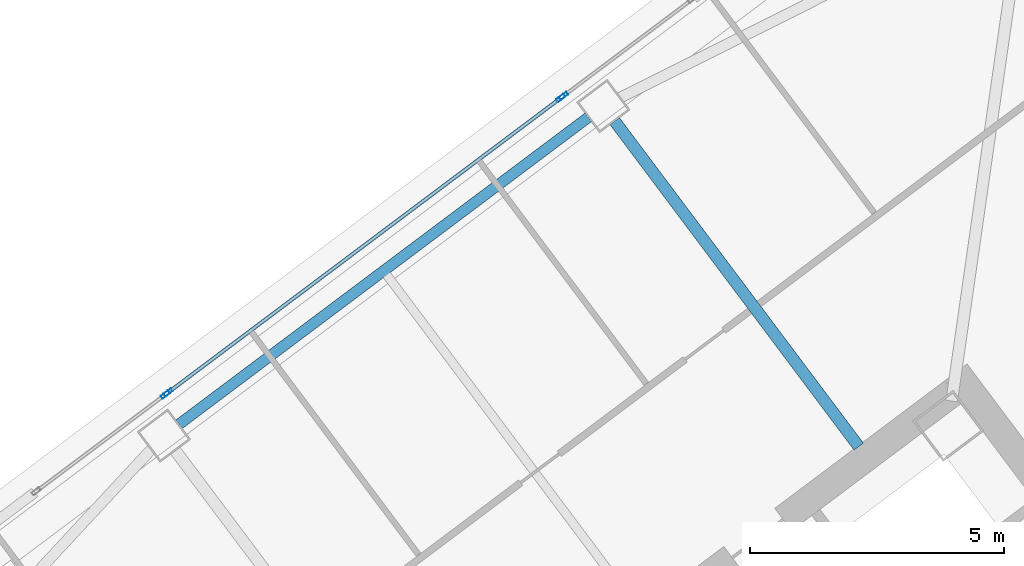
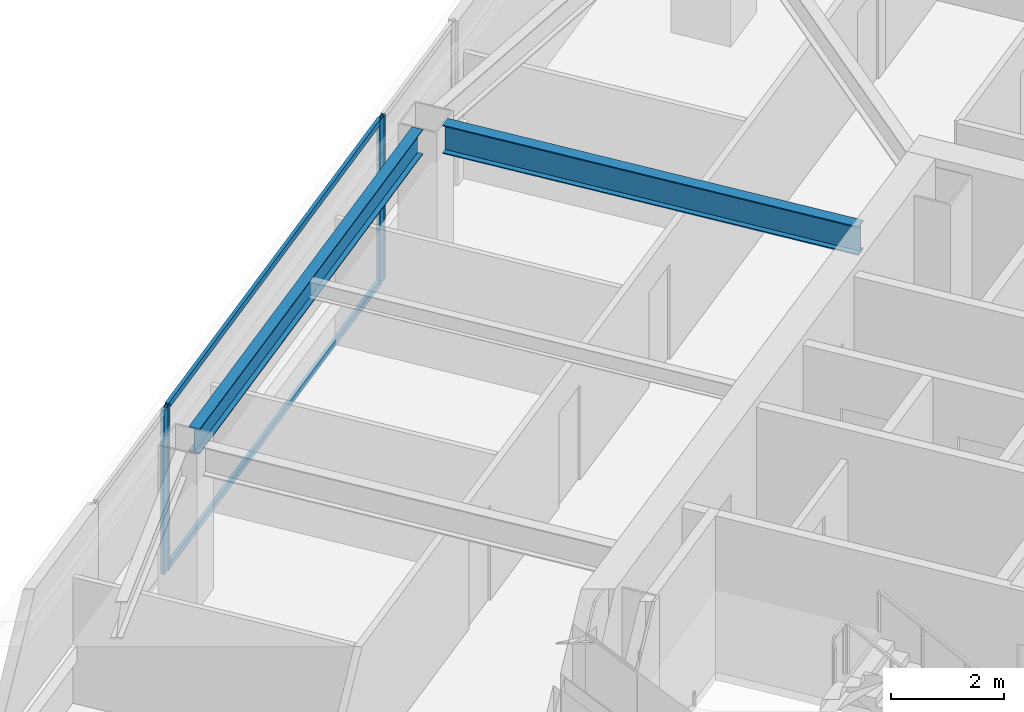
# One storey, part 27 of 42: 6 members, 2 beams, 3 elements without a shape of their own.
"""IFC4 building model written with IfcOpenShell, lengths in metres."""

from ifc_helpers import new_model, si_unit, direction, frame, origin, origin_2d, place, context, subcontext, project, spatial, hollow_rectangle, i_section, extrude, material, material_profile, profile_set, type_object, element, aggregate, save


model = new_model("IFC4")

# Units and contexts
model_context = context("Model", 3, precision=1e-05, world=origin(), true_north=direction((0.0, 1.0)))
body_context = subcontext(model_context, "Body", "Model", "MODEL_VIEW")
ifc_project = project(units=[si_unit("LENGTHUNIT", "METRE"), si_unit("AREAUNIT", "SQUARE_METRE"), si_unit("VOLUMEUNIT", "CUBIC_METRE"), si_unit("PLANEANGLEUNIT", "RADIAN"), si_unit("MASSUNIT", "GRAM", prefix="KILO")], contexts=[model_context])

# Site, building, storey
site_placement = place(None, origin())
site = spatial("IfcSite", under=ifc_project, at=site_placement, CompositionType="ELEMENT")
building_placement = place(site_placement, origin())
building = spatial("IfcBuilding", under=site, at=building_placement, Name="Tashvorn Skyway Center", CompositionType="ELEMENT")
storey_placement = place(building_placement, frame((0.0, 0.0, 164.10009765625)))
storey = spatial("IfcBuildingStorey", under=building, at=storey_placement, Name="L44", CompositionType="ELEMENT", Elevation=164.10009765625)

# Beams
ifc_material_1 = material(Name="Steel ASTM A992 Grade 50", Category="steel")
ifc_material_profile_1 = material_profile(ifc_material_1, i_section(OverallWidth=0.22998046875, OverallDepth=0.616943359375, WebThickness=0.01318359375, FlangeThickness=0.022216796875, at=origin_2d()), Name="W24X94")
ifc_profile_set_1 = profile_set([ifc_material_profile_1], Name="Steel ASTM A992 Grade 50")
beam_type_1 = type_object("IfcBeamType", Name="BM-BEAM-W24X94", PredefinedType="BEAM", material=ifc_profile_set_1)
beam_1_placement = place(storey_placement, frame((108.85205078125, 47.864013671875, 3.0615234375), z_axis=(0.60000976564, -0.799992675677, 0.0), x_axis=(0.799992675677, 0.60000976564, 0.0)))
element("IfcBeam", 1, at=beam_1_placement, inside=storey, type_object=beam_type_1, Name="Tower 2 L44 Primary Floor Girder FC-N1", PredefinedType="BEAM", context=body_context, shape_type="SweptSolid", body=[
    extrude(i_section(OverallWidth=0.22998046875, OverallDepth=0.616943359375, WebThickness=0.01318359375, FlangeThickness=0.022216796875, at=origin_2d()), origin(), (0.0, 0.0, 1.0), 8.0),
])
ifc_material_profile_2 = material_profile(ifc_material_1, i_section(OverallWidth=0.2109375, OverallDepth=0.5390625, WebThickness=0.01171875, FlangeThickness=0.018798828125, at=origin_2d()), Name="W21X73")
ifc_profile_set_2 = profile_set([ifc_material_profile_2], Name="Steel ASTM A992 Grade 50")
beam_type_2 = type_object("IfcBeamType", Name="BM-SPANDREL-W21X73", PredefinedType="SPANDREL", material=ifc_profile_set_2)
beam_2_placement = place(storey_placement, frame((108.333984375, 47.93798828125, 3.100341796875), z_axis=(-0.800008736549, -0.599988351091, 0.0), x_axis=(0.599988351091, -0.800008736549, 0.0)))
element("IfcBeam", 2, at=beam_2_placement, inside=storey, type_object=beam_type_2, Name="Tower 2 L44 Spandrel Beam 08", PredefinedType="SPANDREL", context=body_context, shape_type="SweptSolid", body=[
    extrude(i_section(OverallWidth=0.2109375, OverallDepth=0.5390625, WebThickness=0.01171875, FlangeThickness=0.018798828125, at=origin_2d()), origin(), (0.0, 0.0, 1.0), 10.06005859375),
])

# Curtain wall, member
ifc_material_2 = material(Name="Thermally broken bronze-anodized aluminium 6063-T6", Category="aluminium")
curtain_wall_type = type_object("IfcCurtainWallType", Name="CW-CW-Z4", PredefinedType="NOTDEFINED", material=ifc_material_2)
curtain_wall_1_placement = place(storey_placement, origin())
curtain_wall_1 = element("IfcCurtainWall", 3, at=curtain_wall_1_placement, inside=storey, type_object=curtain_wall_type, Name="Tower 2 L44 North Unitised Curtain Wall Glazing Group 1", PredefinedType="NOTDEFINED")
ifc_material_profile_3 = material_profile(ifc_material_2, hollow_rectangle(XDim=0.070068359375, YDim=0.179931640625, WallThickness=0.00390625, at=origin_2d()), Name="ALU-MULL-70x180")
ifc_profile_set_3 = profile_set([ifc_material_profile_3], Name="Thermally broken bronze-anodized aluminium 6063-T6")
member_type_1 = type_object("IfcMemberType", Name="CWM-CW-Z4", PredefinedType="MULLION", material=ifc_profile_set_3)
member_1_placement = place(storey_placement, frame((100.01611328125, 42.487060546875, 0.0), z_axis=(0.0, 0.0, 1.0), x_axis=(-0.600000000002, 0.799999999998, 0.0)))
member_1 = element("IfcMember", 4, at=member_1_placement, type_object=member_type_1, Name="CW-Z4 mullion 2", PredefinedType="MULLION", context=body_context, shape_type="SweptSolid", body=[
    extrude(hollow_rectangle(XDim=0.070068359375, YDim=0.179931640625, WallThickness=0.00390625, at=origin_2d()), origin(), (0.0, 0.0, 1.0), 3.5498046875),
])
aggregate(curtain_wall_1, [member_1])

# Curtain wall, members
curtain_wall_2_placement = place(storey_placement, origin())
curtain_wall_2 = element("IfcCurtainWall", 5, at=curtain_wall_2_placement, inside=storey, type_object=curtain_wall_type, Name="Tower 2 L44 North Unitised Curtain Wall Glazing Group 2", PredefinedType="NOTDEFINED")
member_2_placement = place(storey_placement, frame((100.072021484375, 42.529052734375, 0.0), z_axis=(0.0, 0.0, 1.0), x_axis=(-0.600000000002, 0.799999999998, 0.0)))
member_2 = element("IfcMember", 6, at=member_2_placement, type_object=member_type_1, Name="CW-Z4 mullion 1", PredefinedType="MULLION", context=body_context, shape_type="SweptSolid", body=[
    extrude(hollow_rectangle(XDim=0.070068359375, YDim=0.179931640625, WallThickness=0.00390625, at=origin_2d()), origin(), (0.0, 0.0, 1.0), 3.5498046875),
])
member_3_placement = place(storey_placement, frame((107.7919921875, 48.319091796875, 0.0), z_axis=(0.0, 0.0, 1.0), x_axis=(-0.600000000002, 0.799999999998, 0.0)))
member_3 = element("IfcMember", 7, at=member_3_placement, type_object=member_type_1, Name="CW-Z4 mullion 2", PredefinedType="MULLION", context=body_context, shape_type="SweptSolid", body=[
    extrude(hollow_rectangle(XDim=0.070068359375, YDim=0.179931640625, WallThickness=0.00390625, at=origin_2d()), origin(), (0.0, 0.0, 1.0), 3.5498046875),
])

# Curtain wall, member
curtain_wall_3_placement = place(storey_placement, origin())
curtain_wall_3 = element("IfcCurtainWall", 8, at=curtain_wall_3_placement, inside=storey, type_object=curtain_wall_type, Name="Tower 2 L44 North Unitised Curtain Wall Glazing Group 3", PredefinedType="NOTDEFINED")
member_4_placement = place(storey_placement, frame((107.847900390625, 48.361083984375, 0.0), z_axis=(0.0, 0.0, 1.0), x_axis=(-0.600000000002, 0.799999999998, 0.0)))
member_4 = element("IfcMember", 9, at=member_4_placement, type_object=member_type_1, Name="CW-Z4 mullion 1", PredefinedType="MULLION", context=body_context, shape_type="SweptSolid", body=[
    extrude(hollow_rectangle(XDim=0.070068359375, YDim=0.179931640625, WallThickness=0.00390625, at=origin_2d()), origin(), (0.0, 0.0, 1.0), 3.5498046875),
])
aggregate(curtain_wall_3, [member_4])

# Member
ifc_material_profile_4 = material_profile(ifc_material_2, hollow_rectangle(XDim=0.070068359375, YDim=0.1298828125, WallThickness=0.00390625, at=origin_2d()), Name="ALU-TRAN-70x130")
ifc_profile_set_4 = profile_set([ifc_material_profile_4], Name="Thermally broken bronze-anodized aluminium 6063-T6")
member_type_2 = type_object("IfcMemberType", Name="CWT-CW-Z4", PredefinedType="USERDEFINED", material=ifc_profile_set_4)
member_5_placement = place(storey_placement, frame((100.10009765625, 42.550048828125, 0.034912109375), z_axis=(0.799990825408, 0.600012232595, 0.0), x_axis=(-0.600012232595, 0.799990825408, 0.0)))
member_5 = element("IfcMember", 10, at=member_5_placement, type_object=member_type_2, Name="CW-Z4 transom 1.1", ObjectType="TRANSOM", PredefinedType="USERDEFINED", context=body_context, shape_type="SweptSolid", body=[
    extrude(hollow_rectangle(XDim=0.070068359375, YDim=0.1298828125, WallThickness=0.00390625, at=origin_2d()), origin(), (0.0, 0.0, 1.0), 9.579833984375),
])

member_6_placement = place(storey_placement, frame((100.10009765625, 42.550048828125, 3.514892578125), z_axis=(0.799990825408, 0.600012232595, 0.0), x_axis=(-0.600012232595, 0.799990825408, 0.0)))
member_6 = element("IfcMember", 11, at=member_6_placement, type_object=member_type_2, Name="CW-Z4 transom 1.2", ObjectType="TRANSOM", PredefinedType="USERDEFINED", context=body_context, shape_type="SweptSolid", body=[
    extrude(hollow_rectangle(XDim=0.070068359375, YDim=0.1298828125, WallThickness=0.00390625, at=origin_2d()), origin(), (0.0, 0.0, 1.0), 9.579833984375),
])

aggregate(curtain_wall_2, [member_2, member_3, member_5, member_6])

save(model, "model.ifc")
